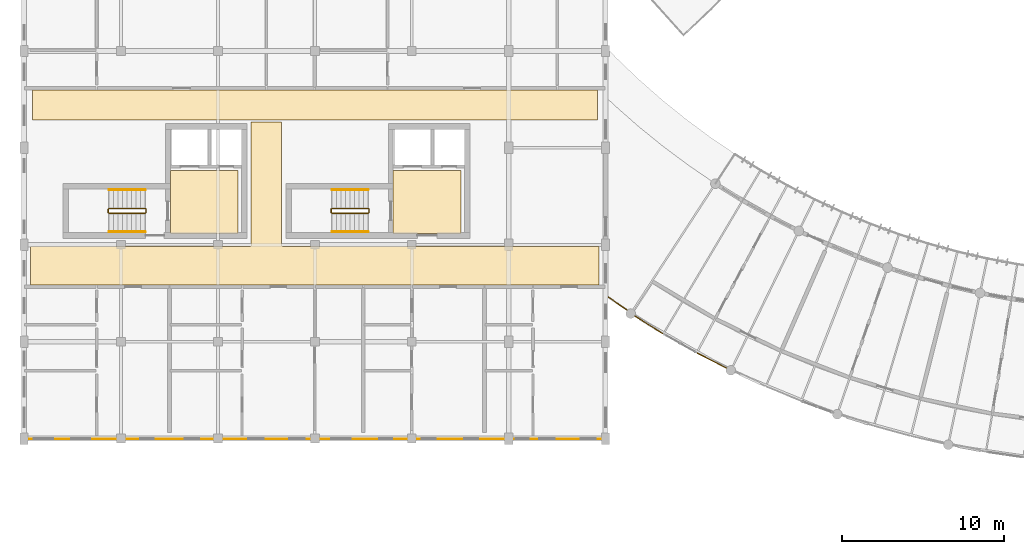
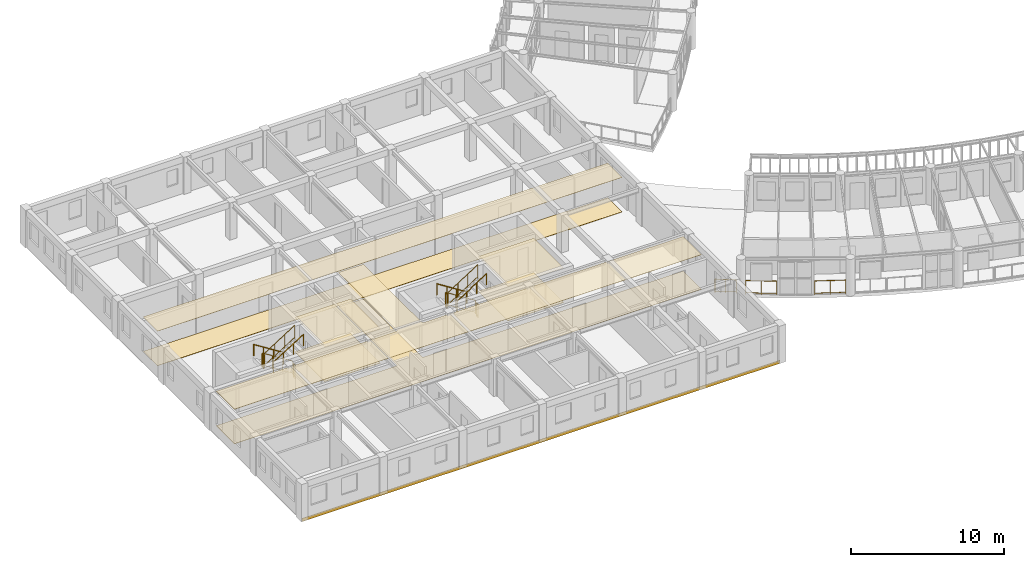
# One storey, part 89 of 101: 15 railings, 9 coverings.
"""IFC4 building model written with IfcOpenShell, lengths in metres."""

from ifc_helpers import new_model, si_unit, direction, frame, origin, origin_2d, place, context, subcontext, project, spatial, polyline, circle, outline, extrude, material, layer, layer_set, type_object, element, save


model = new_model("IFC4")

# Units and contexts
model_context = context("Model", 3, precision=1e-05, world=origin(), true_north=direction((0.0, 1.0)))
body_context = subcontext(model_context, "Body", "Model", "MODEL_VIEW")
ifc_project = project(units=[si_unit("LENGTHUNIT", "METRE"), si_unit("AREAUNIT", "SQUARE_METRE"), si_unit("VOLUMEUNIT", "CUBIC_METRE"), si_unit("PLANEANGLEUNIT", "RADIAN"), si_unit("MASSUNIT", "GRAM", prefix="KILO"), si_unit("POWERUNIT", "WATT"), si_unit("THERMODYNAMICTEMPERATUREUNIT", "KELVIN")], contexts=[model_context])

# Site, building, storey
site_placement = place(None, origin())
site = spatial("IfcSite", under=ifc_project, at=site_placement, CompositionType="ELEMENT")
building_placement = place(site_placement, origin())
building = spatial("IfcBuilding", under=site, at=building_placement, Name="Ruvembo Vaulted Housing Court", CompositionType="ELEMENT")
storey_placement = place(building_placement, frame((0.0, 0.0, 17.300048828125)))
storey = spatial("IfcBuildingStorey", under=building, at=storey_placement, Name="L05", CompositionType="ELEMENT", Elevation=17.300048828125)

# Coverings
ifc_material_1 = material(Name="Perforated Mineral-Fibre Acoustic Tile", Category="gypsum")
ifc_layer_1 = layer(ifc_material_1, 0.02001953125, Name="Perforated Mineral-Fibre Acoustic Tile")
ifc_layer_set_1 = layer_set([ifc_layer_1], Name="Perforated Mineral-Fibre Acoustic Tile")
covering_type_1 = type_object("IfcCoveringType", Name="COV-CEIL-ACOUST", PredefinedType="CEILING", material=ifc_layer_set_1)
covering_1_placement = place(storey_placement, frame((0.0, 0.0, 2.75)))
element("IfcCovering", 1, at=covering_1_placement, inside=storey, type_object=covering_type_1, Name="Firefighting Lift Lobby A1 Ceiling", PredefinedType="CEILING", context=body_context, shape_type="SweptSolid", body=[
    extrude(outline(polyline([(13.25, 22.60009765625), (9.050048828125, 22.60009765625), (9.050048828125, 18.699951171875), (13.25, 18.699951171875), (13.25, 22.60009765625)])), origin(), (0.0, 0.0, 1.0), 0.02001953125),
])
covering_2_placement = place(storey_placement, frame((0.0, 0.0, 2.75)))
element("IfcCovering", 2, at=covering_2_placement, inside=storey, type_object=covering_type_1, Name="Firefighting Lift Lobby A2 Ceiling", PredefinedType="CEILING", context=body_context, shape_type="SweptSolid", body=[
    extrude(outline(polyline([(27.050048828125, 22.60009765625), (22.85009765625, 22.60009765625), (22.85009765625, 18.699951171875), (27.050048828125, 18.699951171875), (27.050048828125, 22.60009765625)])), origin(), (0.0, 0.0, 1.0), 0.02001953125),
])
covering_3_placement = place(storey_placement, frame((0.0, 0.0, 2.75)))
element("IfcCovering", 3, at=covering_3_placement, inside=storey, type_object=covering_type_1, Name="Block A L05 Corridor Ceiling", PredefinedType="CEILING", context=body_context, shape_type="SweptSolid", body=[
    extrude(outline(polyline([(35.590087890625, 15.510009765625), (35.590087890625, 17.889892578125), (16.050048828125, 17.889892578125), (16.039306640625, 17.890380859375), (16.028564453125, 17.89208984375), (16.01806640625, 17.894775390625), (16.0078125, 17.8984375), (15.998046875, 17.903076171875), (15.989013671875, 17.908447265625), (15.980224609375, 17.9150390625), (15.97216796875, 17.922119140625), (15.965087890625, 17.93017578125), (15.95849609375, 17.93896484375), (15.952880859375, 17.947998046875), (15.948486328125, 17.9580078125), (15.944580078125, 17.968017578125), (15.942138671875, 17.978515625), (15.9404296875, 17.9892578125), (15.93994140625, 18.0), (15.93994140625, 25.590087890625), (14.06005859375, 25.590087890625), (14.06005859375, 18.0), (14.0595703125, 17.9892578125), (14.057861328125, 17.978515625), (14.055419921875, 17.968017578125), (14.051513671875, 17.9580078125), (14.047119140625, 17.947998046875), (14.04150390625, 17.93896484375), (14.034912109375, 17.93017578125), (14.02783203125, 17.922119140625), (14.019775390625, 17.9150390625), (14.010986328125, 17.908447265625), (14.001953125, 17.903076171875), (13.9921875, 17.8984375), (13.98193359375, 17.894775390625), (13.971435546875, 17.89208984375), (13.960693359375, 17.890380859375), (13.949951171875, 17.889892578125), (0.409912109375, 17.889892578125), (0.409912109375, 15.510009765625), (35.590087890625, 15.510009765625)])), origin(), (0.0, 0.0, 1.0), 0.02001953125),
])
covering_4_placement = place(storey_placement, frame((0.0, 0.0, 2.75)))
element("IfcCovering", 4, at=covering_4_placement, inside=storey, type_object=covering_type_1, Name="Block A L05 North Sub-Corridor Ceiling", PredefinedType="CEILING", context=body_context, shape_type="SweptSolid", body=[
    extrude(outline(polyline([(0.510009765625, 25.7099609375), (35.489990234375, 25.7099609375), (35.489990234375, 27.590087890625), (0.510009765625, 27.590087890625), (0.510009765625, 25.7099609375)])), origin(), (0.0, 0.0, 1.0), 0.02001953125),
])
ifc_material_2 = material(Name="Lime-Cement Mineral Render", Category="plaster")
ifc_layer_2 = layer(ifc_material_2, 0.02490234375, Name="Lime-Cement Mineral Render")
ifc_layer_set_2 = layer_set([ifc_layer_2], Name="Lime-Cement Mineral Render")
covering_type_2 = type_object("IfcCoveringType", Name="COV-CLAD-RENDER", PredefinedType="CLADDING", material=ifc_layer_set_2)
covering_5_placement = place(storey_placement, frame((0.0, 0.0, -0.25)))
element("IfcCovering", 5, at=covering_5_placement, inside=storey, type_object=covering_type_2, Name="Block A L05 Mineral Render Fascia Band", PredefinedType="CLADDING", context=body_context, shape_type="SweptSolid", body=[
    extrude(outline(polyline([(0.0, 5.969970703125), (36.0, 5.969970703125), (36.0, 6.0), (0.0, 6.0), (0.0, 5.969970703125)])), origin(), (0.0, 0.0, 1.0), 0.25),
])
ifc_material_3 = material(Name="Polished Cement-Aggregate Terrazzo", Category="stone")
ifc_layer_3 = layer(ifc_material_3, 0.02197265625, Name="Polished Cement-Aggregate Terrazzo")
ifc_layer_set_3 = layer_set([ifc_layer_3], Name="Polished Cement-Aggregate Terrazzo")
covering_type_3 = type_object("IfcCoveringType", Name="COV-FLR-CERAMIC", PredefinedType="FLOORING", material=ifc_layer_set_3)
covering_6_placement = place(storey_placement, origin())
element("IfcCovering", 6, at=covering_6_placement, inside=storey, type_object=covering_type_3, Name="Firefighting Lift Lobby A1 Flooring", PredefinedType="FLOORING", context=body_context, shape_type="SweptSolid", body=[
    extrude(outline(polyline([(13.25, 22.60009765625), (9.050048828125, 22.60009765625), (9.050048828125, 18.699951171875), (13.25, 18.699951171875), (13.25, 22.60009765625)])), origin(), (0.0, 0.0, 1.0), 0.02197265625),
])
covering_7_placement = place(storey_placement, origin())
element("IfcCovering", 7, at=covering_7_placement, inside=storey, type_object=covering_type_3, Name="Firefighting Lift Lobby A2 Flooring", PredefinedType="FLOORING", context=body_context, shape_type="SweptSolid", body=[
    extrude(outline(polyline([(27.050048828125, 22.60009765625), (22.85009765625, 22.60009765625), (22.85009765625, 18.699951171875), (27.050048828125, 18.699951171875), (27.050048828125, 22.60009765625)])), origin(), (0.0, 0.0, 1.0), 0.02197265625),
])
covering_8_placement = place(storey_placement, origin())
element("IfcCovering", 8, at=covering_8_placement, inside=storey, type_object=covering_type_3, Name="Block A L05 Corridor Flooring", PredefinedType="FLOORING", context=body_context, shape_type="SweptSolid", body=[
    extrude(outline(polyline([(35.590087890625, 15.510009765625), (35.590087890625, 17.889892578125), (16.050048828125, 17.889892578125), (16.039306640625, 17.890380859375), (16.028564453125, 17.89208984375), (16.01806640625, 17.894775390625), (16.0078125, 17.8984375), (15.998046875, 17.903076171875), (15.989013671875, 17.908447265625), (15.980224609375, 17.9150390625), (15.97216796875, 17.922119140625), (15.965087890625, 17.93017578125), (15.95849609375, 17.93896484375), (15.952880859375, 17.947998046875), (15.948486328125, 17.9580078125), (15.944580078125, 17.968017578125), (15.942138671875, 17.978515625), (15.9404296875, 17.9892578125), (15.93994140625, 18.0), (15.93994140625, 25.590087890625), (14.06005859375, 25.590087890625), (14.06005859375, 18.0), (14.0595703125, 17.9892578125), (14.057861328125, 17.978515625), (14.055419921875, 17.968017578125), (14.051513671875, 17.9580078125), (14.047119140625, 17.947998046875), (14.04150390625, 17.93896484375), (14.034912109375, 17.93017578125), (14.02783203125, 17.922119140625), (14.019775390625, 17.9150390625), (14.010986328125, 17.908447265625), (14.001953125, 17.903076171875), (13.9921875, 17.8984375), (13.98193359375, 17.894775390625), (13.971435546875, 17.89208984375), (13.960693359375, 17.890380859375), (13.949951171875, 17.889892578125), (0.409912109375, 17.889892578125), (0.409912109375, 15.510009765625), (35.590087890625, 15.510009765625)])), origin(), (0.0, 0.0, 1.0), 0.02197265625),
])
covering_9_placement = place(storey_placement, origin())
element("IfcCovering", 9, at=covering_9_placement, inside=storey, type_object=covering_type_3, Name="Block A L05 North Sub-Corridor Flooring", PredefinedType="FLOORING", context=body_context, shape_type="SweptSolid", body=[
    extrude(outline(polyline([(0.510009765625, 25.7099609375), (35.489990234375, 25.7099609375), (35.489990234375, 27.590087890625), (0.510009765625, 27.590087890625), (0.510009765625, 25.7099609375)])), origin(), (0.0, 0.0, 1.0), 0.02197265625),
])

# Railings
ifc_material_4 = material(Name="Galvanised Painted Steel and Laminated Glass", Category="steel")
ifc_layer_4 = layer(ifc_material_4, 0.070068359375, Name="Galvanised Painted Steel and Laminated Glass")
ifc_layer_set_4 = layer_set([ifc_layer_4], Name="Galvanised Painted Steel and Laminated Glass")
railing_type_1 = type_object("IfcRailingType", Name="RL-BALUST-1120", PredefinedType="BALUSTRADE", material=ifc_layer_set_4)
railing_1_placement = place(storey_placement, frame((37.806884765625, 13.583740234375, 0.0)))
element("IfcRailing", 10, at=railing_1_placement, inside=storey, type_object=railing_type_1, Name="L05 Perimeter Guard RL-EXT-L05-0474", PredefinedType="BALUSTRADE", context=body_context, shape_type="SweptSolid", body=[
    extrude(circle(Radius=0.02392578125, at=origin_2d()), frame((0.0, 0.0, 1.09619140625), z_axis=(0.848924451605, -0.528514215009, 0.0), x_axis=(0.528514215009, 0.848924451605, 0.0)), (0.0, 0.0, 1.0), 2.026123046875),
    extrude(circle(Radius=0.01806640625, at=origin_2d()), frame((0.0, 0.0, 0.1201171875), z_axis=(0.848924451605, -0.528514215009, 0.0), x_axis=(0.528514215009, 0.848924451605, 0.0)), (0.0, 0.0, 1.0), 2.026123046875),
    extrude(circle(Radius=0.02099609375, at=origin_2d()), origin(), (0.0, 0.0, 1.0), 1.072021484375),
    extrude(circle(Radius=0.02099609375, at=origin_2d()), frame((0.85986328125, -0.535400390625, 0.0)), (0.0, 0.0, 1.0), 1.072021484375),
    extrude(circle(Radius=0.02099609375, at=origin_2d()), frame((1.719970703125, -1.07080078125, 0.0)), (0.0, 0.0, 1.0), 1.072021484375),
])
railing_2_placement = place(storey_placement, frame((41.6806640625, 11.2919921875, 0.0)))
element("IfcRailing", 11, at=railing_2_placement, inside=storey, type_object=railing_type_1, Name="L05 Perimeter Guard RL-EXT-L05-0475", PredefinedType="BALUSTRADE", context=body_context, shape_type="SweptSolid", body=[
    extrude(circle(Radius=0.02392578125, at=origin_2d()), frame((0.0, 0.0, 1.09619140625), z_axis=(0.889555106825, -0.456827879975, 0.0), x_axis=(0.456827879975, 0.889555106825, 0.0)), (0.0, 0.0, 1.0), 2.026123046875),
    extrude(circle(Radius=0.01806640625, at=origin_2d()), frame((0.0, 0.0, 0.1201171875), z_axis=(0.889555106825, -0.456827879975, 0.0), x_axis=(0.456827879975, 0.889555106825, 0.0)), (0.0, 0.0, 1.0), 2.026123046875),
    extrude(circle(Radius=0.02099609375, at=origin_2d()), origin(), (0.0, 0.0, 1.0), 1.072021484375),
    extrude(circle(Radius=0.02099609375, at=origin_2d()), frame((0.901123046875, -0.462890625, 0.0)), (0.0, 0.0, 1.0), 1.072021484375),
    extrude(circle(Radius=0.02099609375, at=origin_2d()), frame((1.80224609375, -0.925537109375, 0.0)), (0.0, 0.0, 1.0), 1.072021484375),
])
ifc_material_5 = material(Name="Galvanised Painted Steel S275", Category="steel")
ifc_layer_5 = layer(ifc_material_5, 0.06005859375, Name="Galvanised Painted Steel S275")
ifc_layer_set_5 = layer_set([ifc_layer_5], Name="Galvanised Painted Steel S275")
railing_type_2 = type_object("IfcRailingType", Name="RL-GUARD-1100", PredefinedType="GUARDRAIL", material=ifc_layer_set_5)
railing_3_placement = place(storey_placement, frame((37.322021484375, 13.9716796875, 0.0)))
element("IfcRailing", 12, at=railing_3_placement, inside=storey, type_object=railing_type_2, Name="L05 Perimeter Guard RL-EXT-L05-0916", PredefinedType="GUARDRAIL", context=body_context, shape_type="SweptSolid", body=[
    extrude(circle(Radius=0.02392578125, at=origin_2d()), frame((0.0, 0.0, 1.076171875), z_axis=(-0.826253217327, 0.563298873474, 0.0), x_axis=(-0.563298873474, -0.826253217327, 0.0)), (0.0, 0.0, 1.0), 1.397216796875),
    extrude(circle(Radius=0.01806640625, at=origin_2d()), frame((0.0, 0.0, 0.1201171875), z_axis=(-0.826253217327, 0.563298873474, 0.0), x_axis=(-0.563298873474, -0.826253217327, 0.0)), (0.0, 0.0, 1.0), 1.397216796875),
    extrude(circle(Radius=0.02099609375, at=origin_2d()), origin(), (0.0, 0.0, 1.0), 1.052001953125),
    extrude(circle(Radius=0.02099609375, at=origin_2d()), frame((-0.5771484375, 0.3935546875, 0.0)), (0.0, 0.0, 1.0), 1.052001953125),
    extrude(circle(Radius=0.02099609375, at=origin_2d()), frame((-1.154541015625, 0.787109375, 0.0)), (0.0, 0.0, 1.0), 1.052001953125),
])
ifc_material_6 = material(Name="Painted Galvanised Steel S275", Category="steel")
ifc_layer_6 = layer(ifc_material_6, 0.06005859375, Name="Painted Galvanised Steel S275")
ifc_layer_set_6 = layer_set([ifc_layer_6], Name="Painted Galvanised Steel S275")
railing_type_3 = type_object("IfcRailingType", Name="RL-STAIR-GR1100", PredefinedType="GUARDRAIL", material=ifc_layer_set_6)
railing_4_placement = place(storey_placement, frame((7.5, 20.25, 0.177734375)))
element("IfcRailing", 13, at=railing_4_placement, inside=storey, type_object=railing_type_3, Name="L05 ST-A1 stair guard 1", PredefinedType="GUARDRAIL", context=body_context, shape_type="SweptSolid", body=[
    extrude(circle(Radius=0.02392578125, at=origin_2d()), frame((0.0, 0.0, 1.076171875), z_axis=(-0.8442293374, 0.0, 0.53598211339), x_axis=(0.0, -1.0, 0.0)), (0.0, 0.0, 1.0), 2.6533203125),
    extrude(circle(Radius=0.01806640625, at=origin_2d()), frame((0.0, 0.0, 0.1201171875), z_axis=(-0.8442293374, 0.0, 0.53598211339), x_axis=(0.0, -1.0, 0.0)), (0.0, 0.0, 1.0), 2.6533203125),
    extrude(circle(Radius=0.02099609375, at=origin_2d()), origin(), (0.0, 0.0, 1.0), 1.052001953125),
    extrude(circle(Radius=0.02099609375, at=origin_2d()), frame((-0.74658203125, 0.0, 0.47412109375)), (0.0, 0.0, 1.0), 1.052001953125),
    extrude(circle(Radius=0.02099609375, at=origin_2d()), frame((-1.493408203125, 0.0, 0.947998046875)), (0.0, 0.0, 1.0), 1.052001953125),
    extrude(circle(Radius=0.02099609375, at=origin_2d()), frame((-2.239990234375, 0.0, 1.422119140625)), (0.0, 0.0, 1.0), 1.052001953125),
])
railing_5_placement = place(storey_placement, frame((5.2099609375, 20.199951171875, 1.599853515625)))
element("IfcRailing", 14, at=railing_5_placement, inside=storey, type_object=railing_type_3, Name="L05 ST-A1 stair guard 2", PredefinedType="GUARDRAIL", context=body_context, shape_type="SweptSolid", body=[
    extrude(circle(Radius=0.02392578125, at=origin_2d()), frame((0.0, 0.0, 1.076171875), z_axis=(0.0, -1.0, 0.0), x_axis=(1.0, 0.0, 0.0)), (0.0, 0.0, 1.0), 0.199951171875),
    extrude(circle(Radius=0.01806640625, at=origin_2d()), frame((0.0, 0.0, 0.1201171875), z_axis=(0.0, -1.0, 0.0), x_axis=(1.0, 0.0, 0.0)), (0.0, 0.0, 1.0), 0.199951171875),
    extrude(circle(Radius=0.02099609375, at=origin_2d()), origin(), (0.0, 0.0, 1.0), 1.052001953125),
    extrude(circle(Radius=0.02099609375, at=origin_2d()), frame((0.0, -0.199951171875, 0.0)), (0.0, 0.0, 1.0), 1.052001953125),
])
railing_6_placement = place(storey_placement, frame((5.260009765625, 19.949951171875, 1.77783203125)))
element("IfcRailing", 15, at=railing_6_placement, inside=storey, type_object=railing_type_3, Name="L05 ST-A1 stair guard 3", PredefinedType="GUARDRAIL", context=body_context, shape_type="SweptSolid", body=[
    extrude(circle(Radius=0.02392578125, at=origin_2d()), frame((0.0, 0.0, 1.076171875), z_axis=(0.8442293374, 0.0, 0.53598211339), x_axis=(0.0, 1.0, 0.0)), (0.0, 0.0, 1.0), 2.6533203125),
    extrude(circle(Radius=0.01806640625, at=origin_2d()), frame((0.0, 0.0, 0.1201171875), z_axis=(0.8442293374, 0.0, 0.53598211339), x_axis=(0.0, 1.0, 0.0)), (0.0, 0.0, 1.0), 2.6533203125),
    extrude(circle(Radius=0.02099609375, at=origin_2d()), origin(), (0.0, 0.0, 1.0), 1.052001953125),
    extrude(circle(Radius=0.02099609375, at=origin_2d()), frame((0.74658203125, 0.0, 0.47412109375)), (0.0, 0.0, 1.0), 1.052001953125),
    extrude(circle(Radius=0.02099609375, at=origin_2d()), frame((1.493408203125, 0.0, 0.947998046875)), (0.0, 0.0, 1.0), 1.052001953125),
    extrude(circle(Radius=0.02099609375, at=origin_2d()), frame((2.239990234375, 0.0, 1.422119140625)), (0.0, 0.0, 1.0), 1.052001953125),
])
railing_7_placement = place(storey_placement, frame((7.550048828125, 20.199951171875, 0.0)))
element("IfcRailing", 16, at=railing_7_placement, inside=storey, type_object=railing_type_3, Name="L05 ST-A1 stair guard 4", PredefinedType="GUARDRAIL", context=body_context, shape_type="SweptSolid", body=[
    extrude(circle(Radius=0.02392578125, at=origin_2d()), frame((0.0, 0.0, 1.076171875), z_axis=(0.0, -1.0, 0.0), x_axis=(1.0, 0.0, 0.0)), (0.0, 0.0, 1.0), 0.199951171875),
    extrude(circle(Radius=0.01806640625, at=origin_2d()), frame((0.0, 0.0, 0.1201171875), z_axis=(0.0, -1.0, 0.0), x_axis=(1.0, 0.0, 0.0)), (0.0, 0.0, 1.0), 0.199951171875),
    extrude(circle(Radius=0.02099609375, at=origin_2d()), origin(), (0.0, 0.0, 1.0), 1.052001953125),
    extrude(circle(Radius=0.02099609375, at=origin_2d()), frame((0.0, -0.199951171875, 0.0)), (0.0, 0.0, 1.0), 1.052001953125),
])
railing_8_placement = place(storey_placement, frame((21.300048828125, 20.25, 0.177734375)))
element("IfcRailing", 17, at=railing_8_placement, inside=storey, type_object=railing_type_3, Name="L05 ST-A2 stair guard 1", PredefinedType="GUARDRAIL", context=body_context, shape_type="SweptSolid", body=[
    extrude(circle(Radius=0.02392578125, at=origin_2d()), frame((0.0, 0.0, 1.076171875), z_axis=(-0.8442293374, 0.0, 0.53598211339), x_axis=(0.0, -1.0, 0.0)), (0.0, 0.0, 1.0), 2.6533203125),
    extrude(circle(Radius=0.01806640625, at=origin_2d()), frame((0.0, 0.0, 0.1201171875), z_axis=(-0.8442293374, 0.0, 0.53598211339), x_axis=(0.0, -1.0, 0.0)), (0.0, 0.0, 1.0), 2.6533203125),
    extrude(circle(Radius=0.02099609375, at=origin_2d()), origin(), (0.0, 0.0, 1.0), 1.052001953125),
    extrude(circle(Radius=0.02099609375, at=origin_2d()), frame((-0.74658203125, 0.0, 0.47412109375)), (0.0, 0.0, 1.0), 1.052001953125),
    extrude(circle(Radius=0.02099609375, at=origin_2d()), frame((-1.493408203125, 0.0, 0.947998046875)), (0.0, 0.0, 1.0), 1.052001953125),
    extrude(circle(Radius=0.02099609375, at=origin_2d()), frame((-2.239990234375, 0.0, 1.422119140625)), (0.0, 0.0, 1.0), 1.052001953125),
])
railing_9_placement = place(storey_placement, frame((19.010009765625, 20.199951171875, 1.599853515625)))
element("IfcRailing", 18, at=railing_9_placement, inside=storey, type_object=railing_type_3, Name="L05 ST-A2 stair guard 2", PredefinedType="GUARDRAIL", context=body_context, shape_type="SweptSolid", body=[
    extrude(circle(Radius=0.02392578125, at=origin_2d()), frame((0.0, 0.0, 1.076171875), z_axis=(0.0, -1.0, 0.0), x_axis=(1.0, 0.0, 0.0)), (0.0, 0.0, 1.0), 0.199951171875),
    extrude(circle(Radius=0.01806640625, at=origin_2d()), frame((0.0, 0.0, 0.1201171875), z_axis=(0.0, -1.0, 0.0), x_axis=(1.0, 0.0, 0.0)), (0.0, 0.0, 1.0), 0.199951171875),
    extrude(circle(Radius=0.02099609375, at=origin_2d()), origin(), (0.0, 0.0, 1.0), 1.052001953125),
    extrude(circle(Radius=0.02099609375, at=origin_2d()), frame((0.0, -0.199951171875, 0.0)), (0.0, 0.0, 1.0), 1.052001953125),
])
railing_10_placement = place(storey_placement, frame((19.06005859375, 19.949951171875, 1.77783203125)))
element("IfcRailing", 19, at=railing_10_placement, inside=storey, type_object=railing_type_3, Name="L05 ST-A2 stair guard 3", PredefinedType="GUARDRAIL", context=body_context, shape_type="SweptSolid", body=[
    extrude(circle(Radius=0.02392578125, at=origin_2d()), frame((0.0, 0.0, 1.076171875), z_axis=(0.8442293374, 0.0, 0.53598211339), x_axis=(0.0, 1.0, 0.0)), (0.0, 0.0, 1.0), 2.6533203125),
    extrude(circle(Radius=0.01806640625, at=origin_2d()), frame((0.0, 0.0, 0.1201171875), z_axis=(0.8442293374, 0.0, 0.53598211339), x_axis=(0.0, 1.0, 0.0)), (0.0, 0.0, 1.0), 2.6533203125),
    extrude(circle(Radius=0.02099609375, at=origin_2d()), origin(), (0.0, 0.0, 1.0), 1.052001953125),
    extrude(circle(Radius=0.02099609375, at=origin_2d()), frame((0.74658203125, 0.0, 0.47412109375)), (0.0, 0.0, 1.0), 1.052001953125),
    extrude(circle(Radius=0.02099609375, at=origin_2d()), frame((1.493408203125, 0.0, 0.947998046875)), (0.0, 0.0, 1.0), 1.052001953125),
    extrude(circle(Radius=0.02099609375, at=origin_2d()), frame((2.239990234375, 0.0, 1.422119140625)), (0.0, 0.0, 1.0), 1.052001953125),
])
railing_11_placement = place(storey_placement, frame((21.35009765625, 20.199951171875, 0.0)))
element("IfcRailing", 20, at=railing_11_placement, inside=storey, type_object=railing_type_3, Name="L05 ST-A2 stair guard 4", PredefinedType="GUARDRAIL", context=body_context, shape_type="SweptSolid", body=[
    extrude(circle(Radius=0.02392578125, at=origin_2d()), frame((0.0, 0.0, 1.076171875), z_axis=(0.0, -1.0, 0.0), x_axis=(1.0, 0.0, 0.0)), (0.0, 0.0, 1.0), 0.199951171875),
    extrude(circle(Radius=0.01806640625, at=origin_2d()), frame((0.0, 0.0, 0.1201171875), z_axis=(0.0, -1.0, 0.0), x_axis=(1.0, 0.0, 0.0)), (0.0, 0.0, 1.0), 0.199951171875),
    extrude(circle(Radius=0.02099609375, at=origin_2d()), origin(), (0.0, 0.0, 1.0), 1.052001953125),
    extrude(circle(Radius=0.02099609375, at=origin_2d()), frame((0.0, -0.199951171875, 0.0)), (0.0, 0.0, 1.0), 1.052001953125),
])
ifc_material_7 = material(Name="Brushed Stainless Steel 304", Category="steel")
ifc_layer_7 = layer(ifc_material_7, 0.050048828125, Name="Brushed Stainless Steel 304")
ifc_layer_set_7 = layer_set([ifc_layer_7], Name="Brushed Stainless Steel 304")
railing_type_4 = type_object("IfcRailingType", Name="RL-STAIR-HR920", PredefinedType="HANDRAIL", material=ifc_layer_set_7)
railing_12_placement = place(storey_placement, frame((7.5, 21.39990234375, 0.359130859375)))
element("IfcRailing", 21, at=railing_12_placement, inside=storey, type_object=railing_type_4, Name="L05 ST-A1 stair handrail 1", PredefinedType="HANDRAIL", context=body_context, shape_type="SweptSolid", body=[
    extrude(circle(Radius=0.02392578125, at=origin_2d()), frame((0.0, 0.0, 0.8759765625), z_axis=(-0.84418770128, 0.0, 0.536047689118), x_axis=(0.0, -1.0, 0.0)), (0.0, 0.0, 1.0), 2.6533203125),
    extrude(circle(Radius=0.02099609375, at=origin_2d()), origin(), (0.0, 0.0, 1.0), 0.851806640625),
    extrude(circle(Radius=0.02099609375, at=origin_2d()), frame((-0.74658203125, 0.0, 0.47412109375)), (0.0, 0.0, 1.0), 0.851806640625),
    extrude(circle(Radius=0.02099609375, at=origin_2d()), frame((-1.493408203125, 0.0, 0.9482421875)), (0.0, 0.0, 1.0), 0.851806640625),
    extrude(circle(Radius=0.02099609375, at=origin_2d()), frame((-2.239990234375, 0.0, 1.42236328125)), (0.0, 0.0, 1.0), 0.851806640625),
])
railing_13_placement = place(storey_placement, frame((5.260009765625, 18.800048828125, 1.959228515625)))
element("IfcRailing", 22, at=railing_13_placement, inside=storey, type_object=railing_type_4, Name="L05 ST-A1 stair handrail 2", PredefinedType="HANDRAIL", context=body_context, shape_type="SweptSolid", body=[
    extrude(circle(Radius=0.02392578125, at=origin_2d()), frame((0.0, 0.0, 0.8759765625), z_axis=(0.8442293374, 0.0, 0.53598211339), x_axis=(0.0, 1.0, 0.0)), (0.0, 0.0, 1.0), 2.6533203125),
    extrude(circle(Radius=0.02099609375, at=origin_2d()), origin(), (0.0, 0.0, 1.0), 0.851806640625),
    extrude(circle(Radius=0.02099609375, at=origin_2d()), frame((0.74658203125, 0.0, 0.47412109375)), (0.0, 0.0, 1.0), 0.851806640625),
    extrude(circle(Radius=0.02099609375, at=origin_2d()), frame((1.493408203125, 0.0, 0.947998046875)), (0.0, 0.0, 1.0), 0.851806640625),
    extrude(circle(Radius=0.02099609375, at=origin_2d()), frame((2.239990234375, 0.0, 1.422119140625)), (0.0, 0.0, 1.0), 0.851806640625),
])
railing_14_placement = place(storey_placement, frame((21.300048828125, 21.39990234375, 0.359130859375)))
element("IfcRailing", 23, at=railing_14_placement, inside=storey, type_object=railing_type_4, Name="L05 ST-A2 stair handrail 1", PredefinedType="HANDRAIL", context=body_context, shape_type="SweptSolid", body=[
    extrude(circle(Radius=0.02392578125, at=origin_2d()), frame((0.0, 0.0, 0.8759765625), z_axis=(-0.84418770128, 0.0, 0.536047689118), x_axis=(0.0, -1.0, 0.0)), (0.0, 0.0, 1.0), 2.6533203125),
    extrude(circle(Radius=0.02099609375, at=origin_2d()), origin(), (0.0, 0.0, 1.0), 0.851806640625),
    extrude(circle(Radius=0.02099609375, at=origin_2d()), frame((-0.74658203125, 0.0, 0.47412109375)), (0.0, 0.0, 1.0), 0.851806640625),
    extrude(circle(Radius=0.02099609375, at=origin_2d()), frame((-1.493408203125, 0.0, 0.9482421875)), (0.0, 0.0, 1.0), 0.851806640625),
    extrude(circle(Radius=0.02099609375, at=origin_2d()), frame((-2.239990234375, 0.0, 1.42236328125)), (0.0, 0.0, 1.0), 0.851806640625),
])
railing_15_placement = place(storey_placement, frame((19.06005859375, 18.800048828125, 1.959228515625)))
element("IfcRailing", 24, at=railing_15_placement, inside=storey, type_object=railing_type_4, Name="L05 ST-A2 stair handrail 2", PredefinedType="HANDRAIL", context=body_context, shape_type="SweptSolid", body=[
    extrude(circle(Radius=0.02392578125, at=origin_2d()), frame((0.0, 0.0, 0.8759765625), z_axis=(0.8442293374, 0.0, 0.53598211339), x_axis=(0.0, 1.0, 0.0)), (0.0, 0.0, 1.0), 2.6533203125),
    extrude(circle(Radius=0.02099609375, at=origin_2d()), origin(), (0.0, 0.0, 1.0), 0.851806640625),
    extrude(circle(Radius=0.02099609375, at=origin_2d()), frame((0.74658203125, 0.0, 0.47412109375)), (0.0, 0.0, 1.0), 0.851806640625),
    extrude(circle(Radius=0.02099609375, at=origin_2d()), frame((1.493408203125, 0.0, 0.947998046875)), (0.0, 0.0, 1.0), 0.851806640625),
    extrude(circle(Radius=0.02099609375, at=origin_2d()), frame((2.239990234375, 0.0, 1.422119140625)), (0.0, 0.0, 1.0), 0.851806640625),
])

save(model, "model.ifc")
